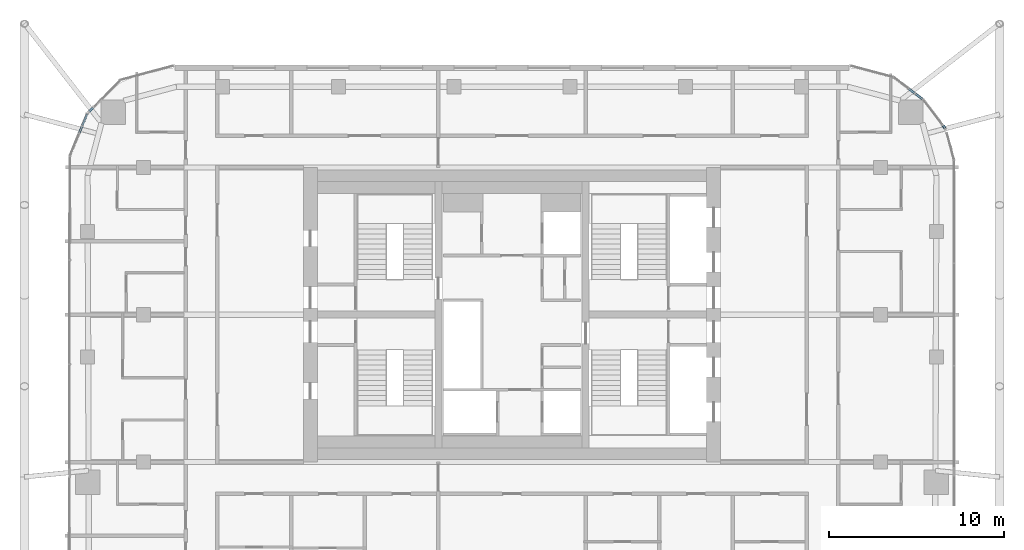
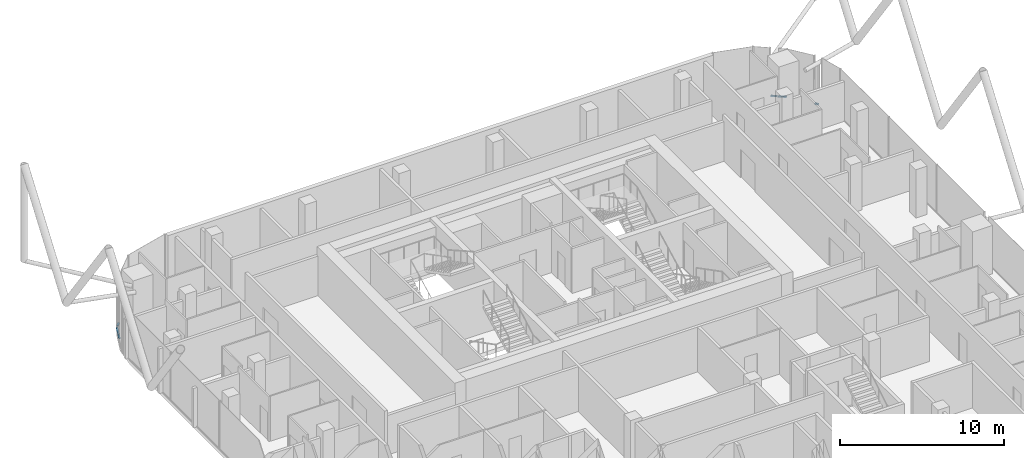
# One storey, part 13 of 31: 6 members, 6 elements without a shape of their own.
"""IFC4 building model written with IfcOpenShell, lengths in metres."""

from ifc_helpers import new_model, si_unit, direction, frame, origin, origin_2d, place, context, subcontext, project, spatial, rectangle, extrude, material, layer, layer_set, material_profile, profile_set, type_object, element, aggregate, save


model = new_model("IFC4")

# Units and contexts
model_context = context("Model", 3, precision=1e-05, world=origin(), true_north=direction((0.0, 1.0)))
body_context = subcontext(model_context, "Body", "Model", "MODEL_VIEW")
ifc_project = project(units=[si_unit("LENGTHUNIT", "METRE"), si_unit("AREAUNIT", "SQUARE_METRE"), si_unit("VOLUMEUNIT", "CUBIC_METRE"), si_unit("PLANEANGLEUNIT", "RADIAN"), si_unit("MASSUNIT", "GRAM", prefix="KILO")], contexts=[model_context])

# Site, building, storey
site_placement = place(None, origin())
site = spatial("IfcSite", under=ifc_project, at=site_placement, CompositionType="ELEMENT")
building_placement = place(site_placement, origin())
building = spatial("IfcBuilding", under=site, at=building_placement, Name="Marenta Gate Hotel Tower", CompositionType="ELEMENT")
storey_placement = place(building_placement, frame((0.0, 0.0, 220.10009765625)))
storey = spatial("IfcBuildingStorey", under=building, at=storey_placement, Name="L51", CompositionType="ELEMENT", Elevation=220.10009765625)

# Curtain wall, member
ifc_material_1 = material(Name="Tinted insulated glass in bronze anodised frame", Category="glass")
ifc_layer = layer(ifc_material_1, 0.1201171875)
ifc_layer_set = layer_set([ifc_layer], Name="Tinted insulated glass in bronze anodised frame")
curtain_wall_type = type_object("IfcCurtainWallType", Name="Tower unitised curtain wall CW1", PredefinedType="NOTDEFINED", material=ifc_layer_set)
curtain_wall_1_placement = place(storey_placement, origin())
curtain_wall_1 = element("IfcCurtainWall", 1, at=curtain_wall_1_placement, inside=storey, type_object=curtain_wall_type, Name="CW1 run G02", PredefinedType="NOTDEFINED")
ifc_material_2 = material(Name="Bronze anodised aluminium", Category="aluminium")
ifc_material_profile = material_profile(ifc_material_2, rectangle(XDim=0.1201171875, YDim=0.06005859375, at=origin_2d()), Name="Transom CW1 60x120 bronze anodised aluminium")
ifc_profile_set = profile_set([ifc_material_profile], Name="Bronze anodised aluminium")
member_type = type_object("IfcMemberType", Name="Transom CW1 60x120 bronze anodised aluminium", PredefinedType="USERDEFINED", material=ifc_profile_set)
member_1_placement = place(storey_placement, frame((-23.884521484375, 20.220458984375, 0.02978515625), z_axis=(-0.707106781187, -0.707106781187, 0.0), x_axis=(0.707106781187, -0.707106781187, 0.0)))
member_1 = element("IfcMember", 2, at=member_1_placement, type_object=member_type, Name="CW1 transom 1.1", ObjectType="TRANSOM", PredefinedType="USERDEFINED", context=body_context, shape_type="SweptSolid", body=[
    extrude(rectangle(XDim=0.1201171875, YDim=0.06005859375, at=origin_2d()), origin(), (0.0, 0.0, 1.0), 0.336669921875),
])
aggregate(curtain_wall_1, [member_1])

curtain_wall_2_placement = place(storey_placement, origin())
curtain_wall_2 = element("IfcCurtainWall", 3, at=curtain_wall_2_placement, inside=storey, type_object=curtain_wall_type, Name="CW1 run G03", PredefinedType="NOTDEFINED")
member_2_placement = place(storey_placement, frame((-24.2265625, 19.845947265625, 0.02978515625), z_axis=(-0.382706726502, -0.92386988342, 0.0), x_axis=(0.92386988342, -0.382706726502, 0.0)))
member_2 = element("IfcMember", 4, at=member_2_placement, type_object=member_type, Name="CW1 transom 1.1", ObjectType="TRANSOM", PredefinedType="USERDEFINED", context=body_context, shape_type="SweptSolid", body=[
    extrude(rectangle(XDim=0.1201171875, YDim=0.06005859375, at=origin_2d()), origin(), (0.0, 0.0, 1.0), 0.708740234375),
])
aggregate(curtain_wall_2, [member_2])

curtain_wall_3_placement = place(storey_placement, origin())
curtain_wall_3 = element("IfcCurtainWall", 5, at=curtain_wall_3_placement, inside=storey, type_object=curtain_wall_type, Name="CW1 run G04", PredefinedType="NOTDEFINED")
member_3_placement = place(storey_placement, frame((-24.520751953125, 19.1357421875, 0.02978515625), z_axis=(-0.382912686497, -0.923784539013, 0.0), x_axis=(0.923784539013, -0.382912686497, 0.0)))
member_3 = element("IfcMember", 6, at=member_3_placement, type_object=member_type, Name="CW1 transom 1.1", ObjectType="TRANSOM", PredefinedType="USERDEFINED", context=body_context, shape_type="SweptSolid", body=[
    extrude(rectangle(XDim=0.1201171875, YDim=0.06005859375, at=origin_2d()), origin(), (0.0, 0.0, 1.0), 0.397216796875),
])
aggregate(curtain_wall_3, [member_3])

curtain_wall_4_placement = place(storey_placement, origin())
curtain_wall_4 = element("IfcCurtainWall", 7, at=curtain_wall_4_placement, inside=storey, type_object=curtain_wall_type, Name="CW1 run G36", PredefinedType="NOTDEFINED")
member_4_placement = place(storey_placement, frame((24.69775390625, 19.030029296875, 0.02978515625), z_axis=(-0.60902605709, 0.793150213885, 0.0), x_axis=(-0.793150213885, -0.60902605709, 0.0)))
member_4 = element("IfcMember", 8, at=member_4_placement, type_object=member_type, Name="CW1 transom 1.1", ObjectType="TRANSOM", PredefinedType="USERDEFINED", context=body_context, shape_type="SweptSolid", body=[
    extrude(rectangle(XDim=0.1201171875, YDim=0.06005859375, at=origin_2d()), origin(), (0.0, 0.0, 1.0), 0.22412109375),
])
aggregate(curtain_wall_4, [member_4])

curtain_wall_5_placement = place(storey_placement, origin())
curtain_wall_5 = element("IfcCurtainWall", 9, at=curtain_wall_5_placement, inside=storey, type_object=curtain_wall_type, Name="CW1 run G38", PredefinedType="NOTDEFINED")
member_5_placement = place(storey_placement, frame((23.405029296875, 20.689208984375, 0.02978515625), z_axis=(-0.793396206785, 0.608705560233, 0.0), x_axis=(-0.608705560233, -0.793396206785, 0.0)))
member_5 = element("IfcMember", 10, at=member_5_placement, type_object=member_type, Name="CW1 transom 1.1", ObjectType="TRANSOM", PredefinedType="USERDEFINED", context=body_context, shape_type="SweptSolid", body=[
    extrude(rectangle(XDim=0.1201171875, YDim=0.06005859375, at=origin_2d()), origin(), (0.0, 0.0, 1.0), 0.5048828125),
])
aggregate(curtain_wall_5, [member_5])

curtain_wall_6_placement = place(storey_placement, origin())
curtain_wall_6 = element("IfcCurtainWall", 11, at=curtain_wall_6_placement, inside=storey, type_object=curtain_wall_type, Name="CW1 run G39", PredefinedType="NOTDEFINED")
member_6_placement = place(storey_placement, frame((22.956787109375, 21.033203125, 0.02978515625), z_axis=(-0.793423480353, 0.608670009796, 0.0), x_axis=(-0.608670009796, -0.793423480353, 0.0)))
member_6 = element("IfcMember", 12, at=member_6_placement, type_object=member_type, Name="CW1 transom 1.1", ObjectType="TRANSOM", PredefinedType="USERDEFINED", context=body_context, shape_type="SweptSolid", body=[
    extrude(rectangle(XDim=0.1201171875, YDim=0.06005859375, at=origin_2d()), origin(), (0.0, 0.0, 1.0), 0.408203125),
])
aggregate(curtain_wall_6, [member_6])

save(model, "model.ifc")
